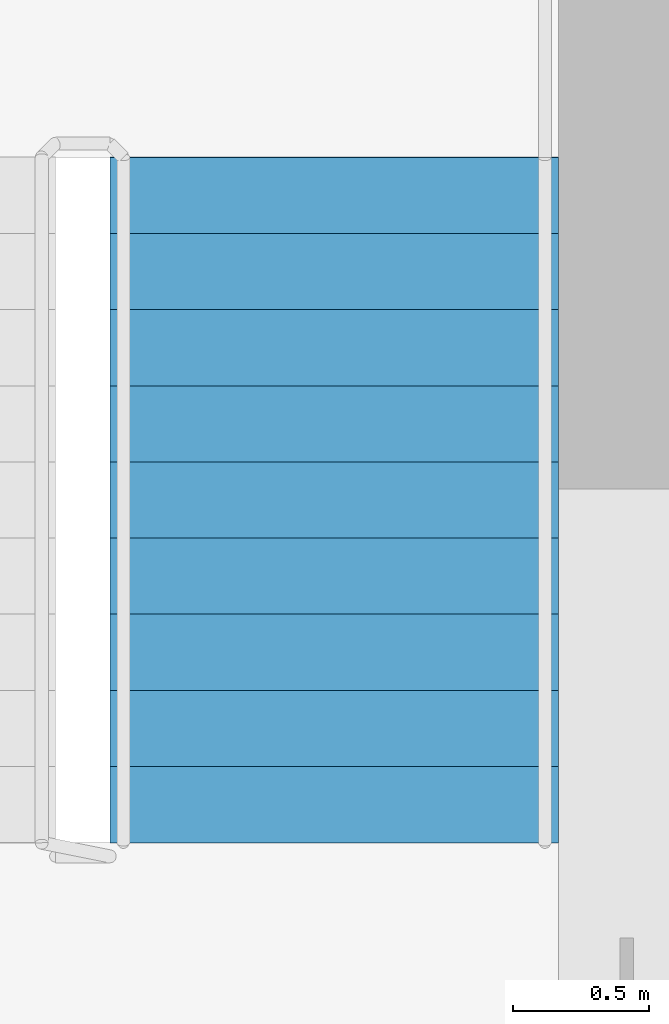
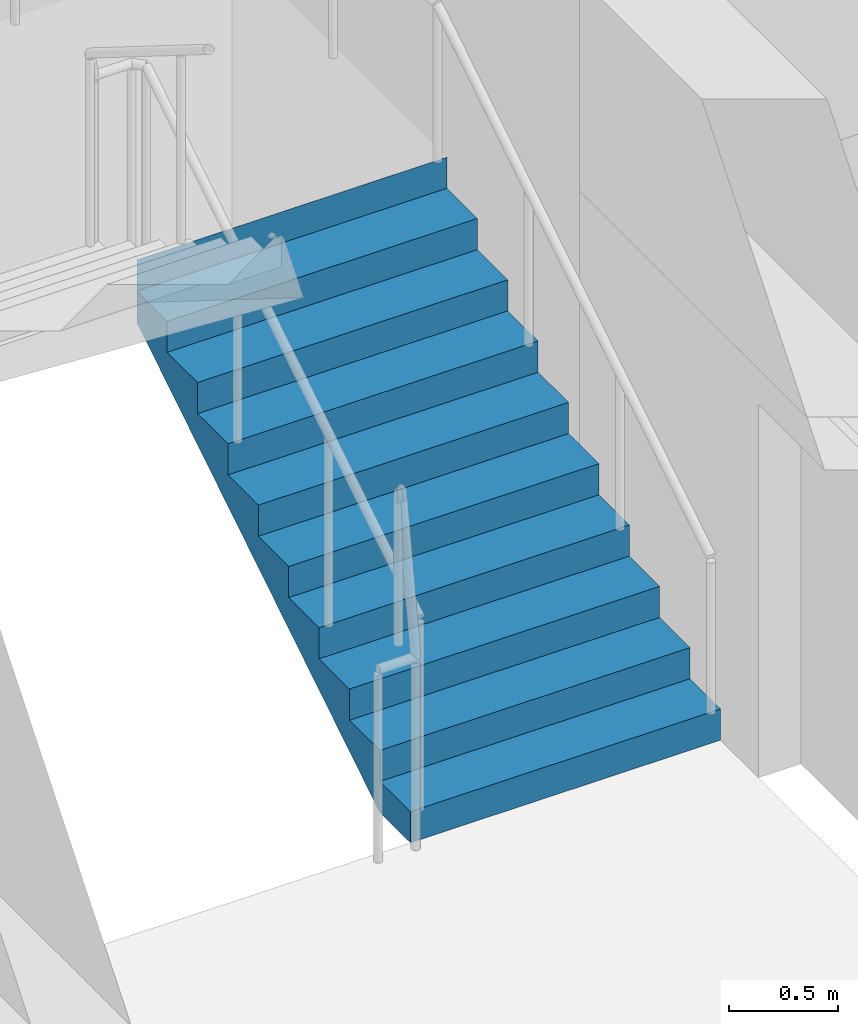
# One storey, part 10 of 11: 1 stair flight, 1 element without a shape of its own.
"""IFC4 building model written with IfcOpenShell, lengths in metres."""

from ifc_helpers import new_model, si_unit, direction, frame, origin, place, context, subcontext, project, spatial, polyline, outline, extrude, material, type_object, element, aggregate, save


model = new_model("IFC4")

# Units and contexts
model_context = context("Model", 3, precision=1e-05, world=origin(), true_north=direction((0.0, 1.0)))
body_context = subcontext(model_context, "Body", "Model", "MODEL_VIEW")
ifc_project = project(units=[si_unit("LENGTHUNIT", "METRE"), si_unit("AREAUNIT", "SQUARE_METRE"), si_unit("VOLUMEUNIT", "CUBIC_METRE"), si_unit("PLANEANGLEUNIT", "RADIAN"), si_unit("MASSUNIT", "GRAM", prefix="KILO")], contexts=[model_context])

# Site, building, storey
site_placement = place(None, origin())
site = spatial("IfcSite", under=ifc_project, at=site_placement, CompositionType="ELEMENT")
building_placement = place(site_placement, origin())
building = spatial("IfcBuilding", under=site, at=building_placement, Name="Tamorin Gate", CompositionType="ELEMENT")
storey_placement = place(building_placement, frame((0.0, 0.0, 240.699951171875)))
storey = spatial("IfcBuildingStorey", under=building, at=storey_placement, Name="L60", CompositionType="ELEMENT", Elevation=240.699951171875)

# Stair, stair flight
ifc_material = material(Name="Concrete C40/50", Category="concrete")
stair_type = type_object("IfcStairType", Name="Exit stair", PredefinedType="HALF_TURN_STAIR", material=ifc_material)
stair_placement = place(storey_placement, origin())
stair = element("IfcStair", 1, at=stair_placement, inside=storey, type_object=stair_type, Name="L60 stair ST2", PredefinedType="HALF_TURN_STAIR")
stair_flight_type = type_object("IfcStairFlightType", Name="Exit stair flight", PredefinedType="STRAIGHT", material=ifc_material)
stair_flight_placement = place(storey_placement, frame((33.675048828125, 77.0, 0.0), z_axis=(0.0, 0.0, 1.0), x_axis=(0.0, 1.0, 0.0)))
stair_flight = element("IfcStairFlight", 2, at=stair_flight_placement, type_object=stair_flight_type, Name="ST2 flight 1", NumberOfRisers=10, NumberOfTreads=9, PredefinedType="STRAIGHT", RiserHeight=0.175, TreadLength=0.28, context=body_context, shape_type="SweptSolid", body=[
    extrude(outline(polyline([(-0.00048828125, 0.0), (-0.00048828125, 0.001708984375), (-0.00048828125, 0.00341796875), (-0.00048828125, 0.005126953125), (-0.00048828125, 0.0068359375), (-0.00048828125, 0.008544921875), (-0.00048828125, 0.010498046875), (-0.00048828125, 0.01220703125), (-0.00048828125, 0.013916015625), (-0.00048828125, 0.015625), (-0.00048828125, 0.017333984375), (-0.00048828125, 0.01904296875), (-0.00048828125, 0.020751953125), (-0.00048828125, 0.0224609375), (-0.00048828125, 0.024169921875), (-0.00048828125, 0.02587890625), (-0.00048828125, 0.02783203125), (-0.00048828125, 0.029541015625), (-0.00048828125, 0.03125), (-0.00048828125, 0.032958984375), (-0.00048828125, 0.03466796875), (-0.00048828125, 0.036376953125), (-0.00048828125, 0.0380859375), (-0.00048828125, 0.039794921875), (-0.00048828125, 0.04150390625), (-0.00048828125, 0.043212890625), (-0.00048828125, 0.045166015625), (-0.00048828125, 0.046875), (-0.00048828125, 0.048583984375), (-0.00048828125, 0.05029296875), (-0.00048828125, 0.052001953125), (-0.00048828125, 0.0537109375), (-0.00048828125, 0.055419921875), (-0.00048828125, 0.05712890625), (-0.00048828125, 0.058837890625), (-0.00048828125, 0.060546875), (-0.00048828125, 0.062255859375), (-0.00048828125, 0.064208984375), (-0.00048828125, 0.06591796875), (-0.00048828125, 0.067626953125), (-0.00048828125, 0.0693359375), (-0.00048828125, 0.071044921875), (-0.00048828125, 0.07275390625), (-0.00048828125, 0.074462890625), (-0.00048828125, 0.076171875), (-0.00048828125, 0.077880859375), (-0.00048828125, 0.07958984375), (-0.00048828125, 0.08154296875), (-0.00048828125, 0.083251953125), (-0.00048828125, 0.0849609375), (-0.00048828125, 0.086669921875), (-0.00048828125, 0.08837890625), (-0.00048828125, 0.090087890625), (-0.00048828125, 0.091796875), (-0.00048828125, 0.093505859375), (-0.00048828125, 0.09521484375), (-0.00048828125, 0.096923828125), (-0.00048828125, 0.098876953125), (-0.00048828125, 0.1005859375), (-0.00048828125, 0.102294921875), (-0.00048828125, 0.10400390625), (-0.00048828125, 0.105712890625), (-0.00048828125, 0.107421875), (-0.00048828125, 0.109130859375), (-0.00048828125, 0.11083984375), (-0.00048828125, 0.112548828125), (-0.00048828125, 0.1142578125), (-0.00048828125, 0.1162109375), (-0.00048828125, 0.117919921875), (-0.00048828125, 0.11962890625), (-0.00048828125, 0.121337890625), (-0.00048828125, 0.123046875), (-0.00048828125, 0.124755859375), (-0.00048828125, 0.12646484375), (-0.00048828125, 0.128173828125), (-0.00048828125, 0.1298828125), (-0.00048828125, 0.131591796875), (-0.00048828125, 0.13330078125), (-0.00048828125, 0.13525390625), (-0.00048828125, 0.136962890625), (-0.00048828125, 0.138671875), (-0.00048828125, 0.140380859375), (-0.00048828125, 0.14208984375), (-0.00048828125, 0.143798828125), (-0.00048828125, 0.1455078125), (-0.00048828125, 0.147216796875), (-0.00048828125, 0.14892578125), (-0.00048828125, 0.150634765625), (-0.00048828125, 0.152587890625), (-0.00048828125, 0.154296875), (-0.00048828125, 0.156005859375), (-0.00048828125, 0.15771484375), (-0.00048828125, 0.159423828125), (-0.00048828125, 0.1611328125), (-0.00048828125, 0.162841796875), (-0.00048828125, 0.16455078125), (-0.00048828125, 0.166259765625), (-0.00048828125, 0.16796875), (-0.00048828125, 0.169921875), (-0.00048828125, 0.171630859375), (-0.00048828125, 0.17333984375), (-0.00048828125, 0.175048828125), (0.280029296875, 0.175048828125), (0.280029296875, 0.35009765625), (0.56005859375, 0.35009765625), (0.56005859375, 0.52490234375), (0.840087890625, 0.52490234375), (0.840087890625, 0.699951171875), (1.1201171875, 0.699951171875), (1.1201171875, 0.875), (1.39990234375, 0.875), (1.39990234375, 1.050048828125), (1.679931640625, 1.050048828125), (1.679931640625, 1.22509765625), (1.9599609375, 1.22509765625), (1.9599609375, 1.39990234375), (2.239990234375, 1.39990234375), (2.239990234375, 1.574951171875), (2.52001953125, 1.574951171875), (2.52001953125, 1.75), (2.5205078125, 1.75), (2.5205078125, 1.74658203125), (2.5205078125, 1.742919921875), (2.5205078125, 1.739501953125), (2.5205078125, 1.736083984375), (2.5205078125, 1.732666015625), (2.5205078125, 1.72900390625), (2.5205078125, 1.7255859375), (2.5205078125, 1.72216796875), (2.5205078125, 1.71875), (2.5205078125, 1.715087890625), (2.5205078125, 1.711669921875), (2.5205078125, 1.708251953125), (2.5205078125, 1.704833984375), (2.5205078125, 1.701171875), (2.5205078125, 1.69775390625), (2.5205078125, 1.6943359375), (2.5205078125, 1.690673828125), (2.5205078125, 1.687255859375), (2.5205078125, 1.683837890625), (2.5205078125, 1.680419921875), (2.5205078125, 1.6767578125), (2.5205078125, 1.67333984375), (2.5205078125, 1.669921875), (2.5205078125, 1.66650390625), (2.5205078125, 1.662841796875), (2.5205078125, 1.659423828125), (2.5205078125, 1.656005859375), (2.5205078125, 1.652587890625), (2.5205078125, 1.64892578125), (2.5205078125, 1.6455078125), (2.5205078125, 1.64208984375), (2.5205078125, 1.638427734375), (2.5205078125, 1.635009765625), (2.5205078125, 1.631591796875), (2.5205078125, 1.628173828125), (2.5205078125, 1.62451171875), (2.5205078125, 1.62109375), (2.5205078125, 1.61767578125), (2.5205078125, 1.6142578125), (2.5205078125, 1.610595703125), (2.5205078125, 1.607177734375), (2.5205078125, 1.603759765625), (2.5205078125, 1.600341796875), (2.5205078125, 1.5966796875), (2.5205078125, 1.59326171875), (2.5205078125, 1.58984375), (2.5205078125, 1.58642578125), (2.5205078125, 1.582763671875), (2.5205078125, 1.579345703125), (2.5205078125, 1.575927734375), (2.5205078125, 1.572265625), (2.5205078125, 1.56884765625), (2.5205078125, 1.5654296875), (2.5205078125, 1.56201171875), (2.5205078125, 1.558349609375), (2.5205078125, 1.554931640625), (2.5205078125, 1.551513671875), (2.5205078125, 1.548095703125), (2.5205078125, 1.54443359375), (2.5205078125, 1.541015625), (2.5205078125, 1.53759765625), (2.5205078125, 1.5341796875), (2.5205078125, 1.530517578125), (2.5205078125, 1.527099609375), (2.5205078125, 1.523681640625), (2.5205078125, 1.52001953125), (2.5205078125, 1.5166015625), (2.5205078125, 1.51318359375), (2.5205078125, 1.509765625), (2.5205078125, 1.506103515625), (2.5205078125, 1.502685546875), (2.5205078125, 1.499267578125), (2.5205078125, 1.495849609375), (2.5205078125, 1.4921875), (2.5205078125, 1.48876953125), (2.5205078125, 1.4853515625), (2.5205078125, 1.48193359375), (2.5205078125, 1.478271484375), (2.5205078125, 1.474853515625), (2.5205078125, 1.471435546875), (2.5205078125, 1.4677734375), (2.5205078125, 1.46435546875), (2.5205078125, 1.4609375), (2.5205078125, 1.45751953125), (2.5205078125, 1.453857421875), (2.5205078125, 1.450439453125), (2.5205078125, 1.447021484375), (2.5205078125, 1.443603515625), (2.5205078125, 1.43994140625), (2.5205078125, 1.4365234375), (2.5205078125, 1.43310546875), (2.5205078125, 1.4296875), (2.5205078125, 1.426025390625), (2.5205078125, 1.422607421875), (2.5205078125, 1.419189453125), (2.5205078125, 1.41552734375), (2.5205078125, 1.412109375), (2.5205078125, 1.40869140625), (2.5205078125, 1.4052734375), (2.5205078125, 1.401611328125), (2.5205078125, 1.398193359375), (2.52001953125, 1.398193359375), (0.28271484375, 0.0), (-0.00048828125, 0.0)])), frame((0.0, 0.824951171875, 0.0), z_axis=(0.0, -1.0, 0.0), x_axis=(1.0, 0.0, 0.0)), (0.0, 0.0, 1.0), 1.64990234375),
])
aggregate(stair, [stair_flight])

save(model, "model.ifc")
